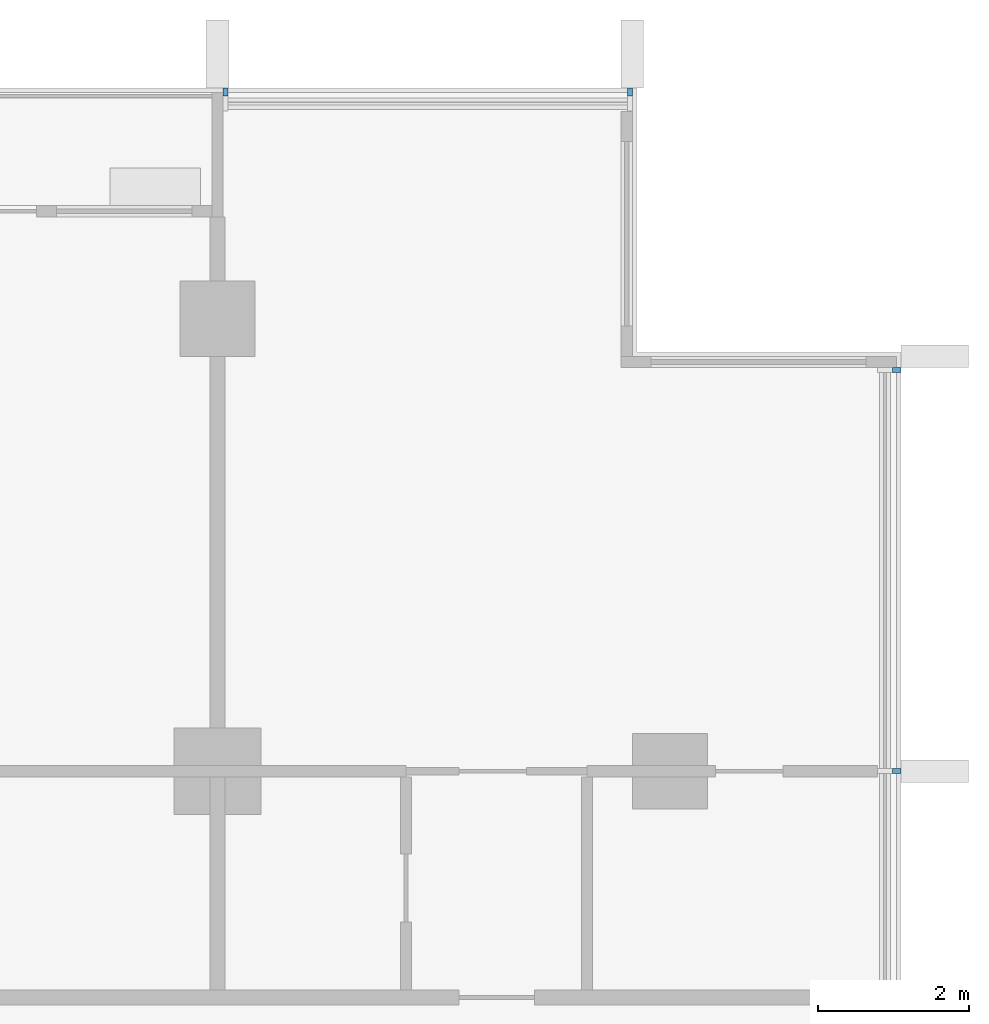
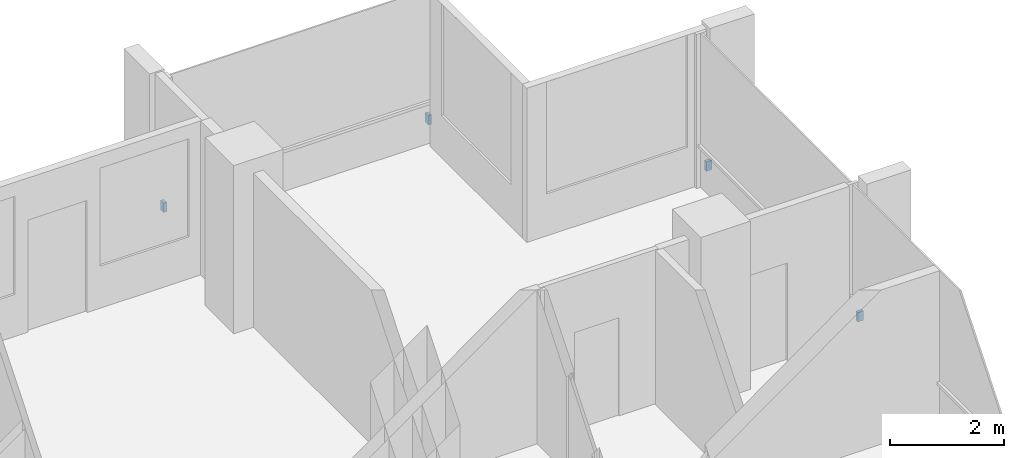
# One storey, part 17 of 18: 4 discrete accessories.
"""IFC4 building model written with IfcOpenShell, lengths in metres."""

from ifc_helpers import new_model, si_unit, direction, frame, origin, origin_2d, place, context, subcontext, project, spatial, rectangle, extrude, material, type_object, element, save


model = new_model("IFC4")

# Units and contexts
model_context = context("Model", 3, precision=1e-05, world=origin(), true_north=direction((0.0, 1.0)))
body_context = subcontext(model_context, "Body", "Model", "MODEL_VIEW")
ifc_project = project(units=[si_unit("LENGTHUNIT", "METRE"), si_unit("AREAUNIT", "SQUARE_METRE"), si_unit("VOLUMEUNIT", "CUBIC_METRE"), si_unit("PLANEANGLEUNIT", "RADIAN"), si_unit("MASSUNIT", "GRAM", prefix="KILO")], contexts=[model_context])

# Site, building, storey
site_placement = place(None, origin())
site = spatial("IfcSite", under=ifc_project, at=site_placement, CompositionType="ELEMENT")
building_placement = place(site_placement, origin())
building = spatial("IfcBuilding", under=site, at=building_placement, Name="Finial Court Residences", CompositionType="ELEMENT")
storey_placement = place(building_placement, frame((0.0, 0.0, 84.699951171875)))
storey = spatial("IfcBuildingStorey", under=building, at=storey_placement, Name="L20", CompositionType="ELEMENT", Elevation=84.699951171875)

# Discrete accessories
ifc_material = material(Name="Stainless steel 316", Category="steel")
discrete_accessory_type = type_object("IfcDiscreteAccessoryType", Name="Fin bracket, stainless steel 65 x 110 x 200", PredefinedType="BRACKET", material=ifc_material)
for number, where, z_axis, x_axis, name in (
    (1, (16.607421875, 22.5048828125, 0.30029296875), (0.0, 0.0, 1.0), (1.0, 0.0, 0.0), "E-L20-FIN-N7-BRK"),
    (2, (21.967529296875, 22.5048828125, 0.30029296875), (0.0, 0.0, 1.0), (1.0, 0.0, 0.0), "E-L20-FIN-N8-BRK"),
):
    element("IfcDiscreteAccessory", number, at=place(storey_placement, frame(where, z_axis=z_axis, x_axis=x_axis)), inside=storey, type_object=discrete_accessory_type, Name=name, PredefinedType="BRACKET", context=body_context, shape_type="SweptSolid", body=[
        extrude(rectangle(XDim=0.06494140625, YDim=0.110107421875, at=origin_2d()), origin(), (0.0, 0.0, 1.0), 0.199951171875),
    ])
for number, where, z_axis, x_axis, name in (
    (3, (25.5048828125, 13.5, 0.30029296875), (0.0, 0.0, 1.0), (1.0, 0.0, 0.0), "E-L20-FIN-E14-BRK"),
    (4, (25.5048828125, 18.8173828125, 0.30029296875), (0.0, 0.0, 1.0), (1.0, 0.0, 0.0), "E-L20-FIN-E15-BRK"),
):
    element("IfcDiscreteAccessory", number, at=place(storey_placement, frame(where, z_axis=z_axis, x_axis=x_axis)), inside=storey, type_object=discrete_accessory_type, Name=name, PredefinedType="BRACKET", context=body_context, shape_type="SweptSolid", body=[
        extrude(rectangle(XDim=0.110107421875, YDim=0.06494140625, at=origin_2d()), origin(), (0.0, 0.0, 1.0), 0.199951171875),
    ])

save(model, "model.ifc")
